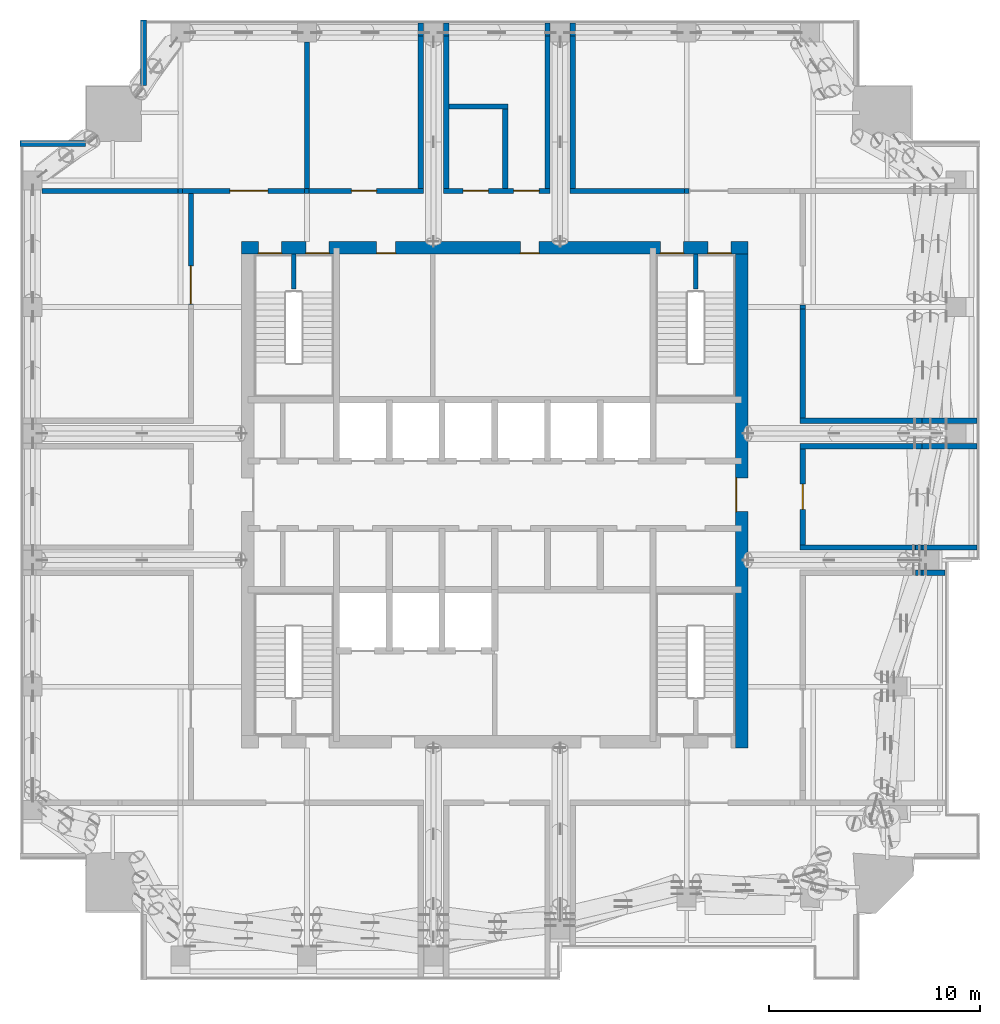
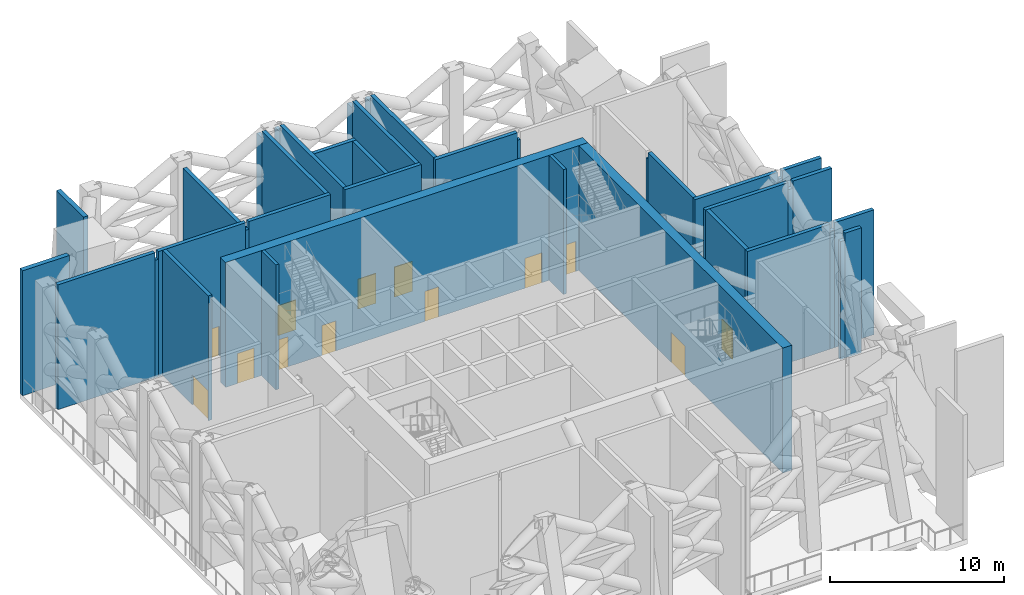
# One storey, part 9 of 18: 40 walls, 13 doors, 13 openings.
"""IFC4 building model written with IfcOpenShell, lengths in metres."""

import ifcopenshell
import ifcopenshell.guid

model = None  # the IFC model being written
_history = None  # IfcOwnerHistory: only IFC2X3 demands one
_inside = {}  # id of a spatial element -> (the spatial element, [elements in it])
_under = {}  # id of a project, library or spatial element -> (it, [spatial elements below it])
_declared = {}  # id of a project -> (the project, [libraries it declares])
_typed = {}  # id of a type object -> (the type object, [elements of that type])
_made_of = {}  # id of a material, layer set ... -> (it, [elements and type objects made of it])


def new_model(schema):
    """Start an empty IFC model of exactly this schema.

    Asked for "IFC4X3", IfcOpenShell would pick the latest addendum, in which some entities
    have other attributes; the version numbers below select the first issue.
    IFC2X3 requires an IfcOwnerHistory on every rooted entity: one is made here for all.
    """
    global model, _history
    if schema == "IFC4X3":
        model = ifcopenshell.file(schema_version=(4, 3, 0, 0))
    else:
        model = ifcopenshell.file(schema=schema)
    _inside.clear()
    _under.clear()
    _declared.clear()
    _typed.clear()
    _made_of.clear()
    _history = None
    if model.schema == "IFC2X3":
        org = make("IfcOrganization", Name="unknown")
        user = make(
            "IfcPersonAndOrganization",
            ThePerson=make("IfcPerson", FamilyName="unknown"),
            TheOrganization=org,
        )
        app = make(
            "IfcApplication",
            ApplicationDeveloper=org,
            Version="unknown",
            ApplicationFullName="unknown",
            ApplicationIdentifier="unknown",
        )
        _history = make(
            "IfcOwnerHistory",
            OwningUser=user,
            OwningApplication=app,
            ChangeAction="ADDED",
            CreationDate=0,
        )
    return model


def make(cls, **values):
    """One entity of the class cls with the attributes given. An attribute that is None is left unset."""
    return model.create_entity(
        cls, **{name: value for name, value in values.items() if value is not None}
    )


def rooted(cls, **values):
    """An entity with a GlobalId (a new one), such as an element, a storey or a relation."""
    return make(cls, GlobalId=ifcopenshell.guid.new(), OwnerHistory=_history, **values)


def si_unit(unit_type, name, prefix=None):
    """IfcSIUnit, for example si_unit("LENGTHUNIT", "METRE", prefix="MILLI")."""
    return make("IfcSIUnit", UnitType=unit_type, Prefix=prefix, Name=name)


def assignment(units):
    """IfcUnitAssignment: the units of a project."""
    return None if units is None else make("IfcUnitAssignment", Units=units)


def point(xyz):
    """IfcCartesianPoint."""
    return None if xyz is None else make("IfcCartesianPoint", Coordinates=xyz)


def direction(xyz):
    """IfcDirection."""
    return None if xyz is None else make("IfcDirection", DirectionRatios=xyz)


def frame(location, z_axis=None, x_axis=None):
    """IfcAxis2Placement3D, a coordinate frame: its origin and axes. An axis left out is left unset."""
    return make(
        "IfcAxis2Placement3D",
        Location=point(location),
        Axis=direction(z_axis),
        RefDirection=direction(x_axis),
    )


def frame_2d(location, x_axis=None):
    """IfcAxis2Placement2D, a coordinate frame in the plane: its origin and x axis."""
    return make(
        "IfcAxis2Placement2D", Location=point(location), RefDirection=direction(x_axis)
    )


def origin():
    """The frame at (0, 0, 0) with its axes left unset."""
    return frame((0.0, 0.0, 0.0))


def place(relative_to, where):
    """IfcLocalPlacement: puts the frame where relative to a parent placement (None: the world)."""
    return make(
        "IfcLocalPlacement", PlacementRelTo=relative_to, RelativePlacement=where
    )


def context(
    kind, dimensions, precision=None, world=None, true_north=None, identifier=None
):
    """IfcGeometricRepresentationContext, for example the 3D "Model" context."""
    return make(
        "IfcGeometricRepresentationContext",
        ContextIdentifier=identifier,
        ContextType=kind,
        CoordinateSpaceDimension=dimensions,
        Precision=precision,
        WorldCoordinateSystem=world,
        TrueNorth=true_north,
    )


def subcontext(parent, identifier, kind, view, scale=None):
    """IfcGeometricRepresentationSubContext, for example "Body" below "Model"."""
    return make(
        "IfcGeometricRepresentationSubContext",
        ContextIdentifier=identifier,
        ContextType=kind,
        ParentContext=parent,
        TargetScale=scale,
        TargetView=view,
    )


def project(units=None, contexts=None):
    """IfcProject with its units and contexts."""
    return rooted(
        "IfcProject",
        Name="project",
        RepresentationContexts=contexts,
        UnitsInContext=assignment(units),
    )


def spatial(cls, under=None, at=None, **own):
    """A site, building, storey or space (cls), placed at a placement, below another one or the project."""
    s = rooted(cls, ObjectPlacement=at, **own)
    if under is not None:
        _under.setdefault(under.id(), (under, []))[1].append(s)
    return s


def profile(cls, at=None, kind="AREA", **sizes):
    """A parametric profile (cls). Its sizes go by their IFC names, for example OverallWidth=200.0."""
    return make(cls, ProfileType=kind, Position=at, **sizes)


def rectangle(**sizes):
    """IfcRectangleProfileDef."""
    return profile("IfcRectangleProfileDef", **sizes)


def extrude(swept, where, along, depth):
    """IfcExtrudedAreaSolid: the profile swept, set in the frame where, extruded along a direction by depth."""
    return make(
        "IfcExtrudedAreaSolid",
        SweptArea=swept,
        Position=where,
        ExtrudedDirection=direction(along),
        Depth=depth,
    )


def shape(context_of_items, identifier, shape_type, items):
    """IfcShapeRepresentation: the items that make up one representation, for example the "Body"."""
    return make(
        "IfcShapeRepresentation",
        ContextOfItems=context_of_items,
        RepresentationIdentifier=identifier,
        RepresentationType=shape_type,
        Items=items,
    )


def material(Name=None, Category=None):
    """IfcMaterial."""
    return make("IfcMaterial", Name=Name, Category=Category)


def layer(
    of_material, thickness, ventilated=None, Name=None, Category=None, Priority=None
):
    """IfcMaterialLayer: one layer of a wall or slab, of a material (None: an air gap)."""
    return make(
        "IfcMaterialLayer",
        Material=of_material,
        LayerThickness=thickness,
        IsVentilated=ventilated,
        Name=Name,
        Category=Category,
        Priority=Priority,
    )


def layer_set(layers, Name=None):
    """IfcMaterialLayerSet."""
    return make("IfcMaterialLayerSet", MaterialLayers=layers, LayerSetName=Name)


def made_of(thing, what):
    """Note that an element or type object is made of a material, layer set ...; save() writes the relation."""
    if what is not None:
        _made_of.setdefault(what.id(), (what, []))[1].append(thing)
    return thing


def type_object(cls, material=None, **own):
    """A type object (cls), such as IfcWallType, which elements share."""
    return made_of(rooted(cls, **own), material)


def element(
    cls,
    number,
    at=None,
    inside=None,
    cuts=None,
    type_object=None,
    material=None,
    context=None,
    identifier="Body",
    shape_type=None,
    held_by="IfcProductDefinitionShape",
    body=None,
    shapes=None,
    **own,
):
    """One element of the class cls, such as IfcWall. Its Tag is "e" and its number.

    at: its placement. inside: the storey or other place that contains it. cuts: it is an
    opening in that element (IfcRelVoidsElement). A single representation is given by context,
    identifier, shape_type and body (its items); several are given by shapes. held_by: the class
    of the entity that holds the representations. save() writes the other relations.
    """
    e = rooted(cls, Tag="e%d" % number, ObjectPlacement=at, **own)
    if body is not None:
        shapes = [shape(context, identifier, shape_type, body)]
    if shapes is not None:
        e.Representation = make(held_by, Representations=shapes)
    if inside is not None:
        _inside.setdefault(inside.id(), (inside, []))[1].append(e)
    if cuts is not None:
        rooted(
            "IfcRelVoidsElement", RelatingBuildingElement=cuts, RelatedOpeningElement=e
        )
    if type_object is not None:
        _typed.setdefault(type_object.id(), (type_object, []))[1].append(e)
    return made_of(e, material)


def fill(opening, filler):
    """IfcRelFillsElement: the door or window that sits in an opening."""
    return rooted(
        "IfcRelFillsElement",
        RelatingOpeningElement=opening,
        RelatedBuildingElement=filler,
    )


def aggregate(whole, parts):
    """IfcRelAggregates: a whole, such as a stair, and the parts it consists of."""
    return rooted("IfcRelAggregates", RelatingObject=whole, RelatedObjects=parts)


def save(model, path):
    """Write the relations noted so far, then the file.

    IfcRelAggregates (storeys below a building ...), IfcRelContainedInSpatialStructure (elements
    in a storey), IfcRelDefinesByType, IfcRelAssociatesMaterial and IfcRelDeclares: one each for
    every whole, place, type object, material and project.
    """
    for whole, parts in _under.values():
        aggregate(whole, parts)
    for where, things in _inside.values():
        rooted(
            "IfcRelContainedInSpatialStructure",
            RelatedElements=things,
            RelatingStructure=where,
        )
    for kind, things in _typed.values():
        rooted("IfcRelDefinesByType", RelatedObjects=things, RelatingType=kind)
    for what, things in _made_of.values():
        rooted("IfcRelAssociatesMaterial", RelatedObjects=things, RelatingMaterial=what)
    for by, libraries in _declared.values():
        rooted("IfcRelDeclares", RelatingContext=by, RelatedDefinitions=libraries)
    model.write(path)


model = new_model("IFC4")

# Units and contexts
model_context = context("Model", 3, precision=1e-05, world=origin(), true_north=direction((0.0, 1.0)))
body_context = subcontext(model_context, "Body", "Model", "MODEL_VIEW")
ifc_project = project(units=[si_unit("LENGTHUNIT", "METRE"), si_unit("AREAUNIT", "SQUARE_METRE"), si_unit("VOLUMEUNIT", "CUBIC_METRE"), si_unit("PLANEANGLEUNIT", "RADIAN"), si_unit("MASSUNIT", "GRAM", prefix="KILO")], contexts=[model_context])

# Site, building, storey
site_placement = place(None, origin())
site = spatial("IfcSite", under=ifc_project, at=site_placement, CompositionType="ELEMENT")
building_placement = place(site_placement, origin())
building = spatial("IfcBuilding", under=site, at=building_placement, Name="Amberfall Residences", CompositionType="ELEMENT")
storey_placement = place(building_placement, frame((0.0, 0.0, 229.89990234375)))
storey = spatial("IfcBuildingStorey", under=building, at=storey_placement, Name="L62", CompositionType="ELEMENT", Elevation=229.89990234375)

# Walls
ifc_material_1 = material(Name="Reinforced concrete C40", Category="concrete")
ifc_layer_1 = layer(ifc_material_1, 0.25)
ifc_layer_set_1 = layer_set([ifc_layer_1], Name="Compartment wall 250")
wall_type_1 = type_object("IfcWallType", Name="Compartment wall 250", PredefinedType="SOLIDWALL", material=ifc_layer_set_1)
wall_1_placement = place(storey_placement, frame((94.449951171875, 41.800048828125, 0.0), z_axis=(0.0, 0.0, 1.0), x_axis=(1.0, 0.0, 0.0)))
element("IfcWall", 1, at=wall_1_placement, inside=storey, type_object=wall_type_1, Name="Compartment wall 250 L62 020", PredefinedType="SOLIDWALL", context=body_context, shape_type="SweptSolid", body=[
    extrude(rectangle(XDim=0.300048828125, YDim=0.25, at=frame_2d((0.14990234375, 0.0))), origin(), (0.0, 0.0, 1.0), 8.25),
])
wall_2_placement = place(storey_placement, frame((94.75, 41.800048828125, 0.0), z_axis=(0.0, 0.0, 1.0), x_axis=(1.0, 0.0, 0.0)))
element("IfcWall", 2, at=wall_2_placement, inside=storey, type_object=wall_type_1, Name="Compartment wall 250 L62 021", PredefinedType="SOLIDWALL", context=body_context, shape_type="SweptSolid", body=[
    extrude(rectangle(XDim=1.10009765625, YDim=0.25, at=frame_2d((0.550048828125, 0.0))), origin(), (0.0, 0.0, 1.0), 8.75),
])
wall_3_placement = place(storey_placement, frame((88.97509765625, 43.0, 0.0), z_axis=(0.0, 0.0, 1.0), x_axis=(1.0, 0.0, 0.0)))
element("IfcWall", 3, at=wall_3_placement, inside=storey, type_object=wall_type_1, Name="Compartment wall 250 L62 024", PredefinedType="SOLIDWALL", context=body_context, shape_type="SweptSolid", body=[
    extrude(rectangle(XDim=5.474853515625, YDim=0.25, at=frame_2d((2.7373046875, 0.0))), origin(), (0.0, 0.0, 1.0), 8.75),
])
wall_4_placement = place(storey_placement, frame((94.449951171875, 43.0, 0.0), z_axis=(0.0, 0.0, 1.0), x_axis=(1.0, 0.0, 0.0)))
element("IfcWall", 4, at=wall_4_placement, inside=storey, type_object=wall_type_1, Name="Compartment wall 250 L62 025", PredefinedType="SOLIDWALL", context=body_context, shape_type="SweptSolid", body=[
    extrude(rectangle(XDim=0.300048828125, YDim=0.25, at=frame_2d((0.14990234375, 0.0))), origin(), (0.0, 0.0, 1.0), 8.25),
])
wall_5_placement = place(storey_placement, frame((94.75, 43.0, 0.0), z_axis=(0.0, 0.0, 1.0), x_axis=(1.0, 0.0, 0.0)))
element("IfcWall", 5, at=wall_5_placement, inside=storey, type_object=wall_type_1, Name="Compartment wall 250 L62 026", PredefinedType="SOLIDWALL", context=body_context, shape_type="SweptSolid", body=[
    extrude(rectangle(XDim=2.60009765625, YDim=0.25, at=frame_2d((1.300048828125, 0.0))), origin(), (0.0, 0.0, 1.0), 8.75),
])
wall_6_placement = place(storey_placement, frame((88.97509765625, 47.800048828125, 0.0), z_axis=(0.0, 0.0, 1.0), x_axis=(1.0, 0.0, 0.0)))
element("IfcWall", 6, at=wall_6_placement, inside=storey, type_object=wall_type_1, Name="Compartment wall 250 L62 029", PredefinedType="SOLIDWALL", context=body_context, shape_type="SweptSolid", body=[
    extrude(rectangle(XDim=5.474853515625, YDim=0.25, at=frame_2d((2.7373046875, 0.0))), origin(), (0.0, 0.0, 1.0), 8.75),
])
wall_7_placement = place(storey_placement, frame((94.449951171875, 47.800048828125, 0.0), z_axis=(0.0, 0.0, 1.0), x_axis=(1.0, 0.0, 0.0)))
element("IfcWall", 7, at=wall_7_placement, inside=storey, type_object=wall_type_1, Name="Compartment wall 250 L62 030", PredefinedType="SOLIDWALL", context=body_context, shape_type="SweptSolid", body=[
    extrude(rectangle(XDim=0.300048828125, YDim=0.25, at=frame_2d((0.14990234375, 0.0))), origin(), (0.0, 0.0, 1.0), 8.25),
])
wall_8_placement = place(storey_placement, frame((94.75, 47.800048828125, 0.0), z_axis=(0.0, 0.0, 1.0), x_axis=(1.0, 0.0, 0.0)))
element("IfcWall", 8, at=wall_8_placement, inside=storey, type_object=wall_type_1, Name="Compartment wall 250 L62 031", PredefinedType="SOLIDWALL", context=body_context, shape_type="SweptSolid", body=[
    extrude(rectangle(XDim=2.60009765625, YDim=0.25, at=frame_2d((1.300048828125, 0.0))), origin(), (0.0, 0.0, 1.0), 8.75),
])
wall_9_placement = place(storey_placement, frame((88.97509765625, 49.0, 0.0), z_axis=(0.0, 0.0, 1.0), x_axis=(1.0, 0.0, 0.0)))
element("IfcWall", 9, at=wall_9_placement, inside=storey, type_object=wall_type_1, Name="Compartment wall 250 L62 034", PredefinedType="SOLIDWALL", context=body_context, shape_type="SweptSolid", body=[
    extrude(rectangle(XDim=5.474853515625, YDim=0.25, at=frame_2d((2.7373046875, 0.0))), origin(), (0.0, 0.0, 1.0), 8.75),
])
wall_10_placement = place(storey_placement, frame((94.449951171875, 49.0, 0.0), z_axis=(0.0, 0.0, 1.0), x_axis=(1.0, 0.0, 0.0)))
element("IfcWall", 10, at=wall_10_placement, inside=storey, type_object=wall_type_1, Name="Compartment wall 250 L62 035", PredefinedType="SOLIDWALL", context=body_context, shape_type="SweptSolid", body=[
    extrude(rectangle(XDim=0.300048828125, YDim=0.25, at=frame_2d((0.14990234375, 0.0))), origin(), (0.0, 0.0, 1.0), 8.25),
])
wall_11_placement = place(storey_placement, frame((94.75, 49.0, 0.0), z_axis=(0.0, 0.0, 1.0), x_axis=(1.0, 0.0, 0.0)))
element("IfcWall", 11, at=wall_11_placement, inside=storey, type_object=wall_type_1, Name="Compartment wall 250 L62 036", PredefinedType="SOLIDWALL", context=body_context, shape_type="SweptSolid", body=[
    extrude(rectangle(XDim=2.60009765625, YDim=0.25, at=frame_2d((1.300048828125, 0.0))), origin(), (0.0, 0.0, 1.0), 8.75),
])
wall_12_placement = place(storey_placement, frame((53.050048828125, 59.89990234375, 0.0), z_axis=(0.0, 0.0, 1.0), x_axis=(1.0, 0.0, 0.0)))
element("IfcWall", 12, at=wall_12_placement, inside=storey, type_object=wall_type_1, Name="Compartment wall 250 L62 037", PredefinedType="SOLIDWALL", context=body_context, shape_type="SweptSolid", body=[
    extrude(rectangle(XDim=6.444580078125, YDim=0.25, at=frame_2d((3.22216796875, 0.0))), origin(), (0.0, 0.0, 1.0), 8.75),
])
wall_13_placement = place(storey_placement, frame((59.49462890625, 59.89990234375, 0.0), z_axis=(0.0, 0.0, 1.0), x_axis=(1.0, 0.0, 0.0)))
element("IfcWall", 13, at=wall_13_placement, inside=storey, type_object=wall_type_1, Name="Compartment wall 250 L62 038", PredefinedType="SOLIDWALL", context=body_context, shape_type="SweptSolid", body=[
    extrude(rectangle(XDim=0.210693359375, YDim=0.25, at=frame_2d((0.10546875, 0.0))), origin(), (0.0, 0.0, 1.0), 8.211181640625),
])

# Wall, opening, door
wall_14_placement = place(storey_placement, frame((59.705322265625, 59.89990234375, 0.0), z_axis=(0.0, 0.0, 1.0), x_axis=(1.0, 0.0, 0.0)))
wall_14 = element("IfcWall", 14, at=wall_14_placement, inside=storey, type_object=wall_type_1, Name="Compartment wall 250 L62 039", PredefinedType="SOLIDWALL", context=body_context, shape_type="SweptSolid", body=[
    extrude(rectangle(XDim=5.7900390625, YDim=0.25, at=frame_2d((2.89501953125, 0.0))), origin(), (0.0, 0.0, 1.0), 8.75),
])
opening_1_placement = place(wall_14_placement, frame((2.24462890625, 0.0, 0.0)))
opening_1 = element("IfcOpeningElement", 15, at=opening_1_placement, cuts=wall_14, Name="Opening D13", PredefinedType="OPENING", context=body_context, shape_type="SweptSolid", body=[
    extrude(rectangle(XDim=1.800048828125, YDim=2.10009765625, at=frame_2d((0.89990234375, 1.050048828125))), frame((0.0, 0.135009765625, 0.0), z_axis=(0.0, -1.0, 0.0), x_axis=(1.0, 0.0, 0.0)), (0.0, 0.0, 1.0), 0.27001953125),
])
ifc_material_2 = material(Name="Steel fire door leaf", Category="steel")
door_type_1 = type_object("IfcDoorType", Name="Double fire door 1800x2100 FD60", OperationType="DOUBLE_DOOR_SINGLE_SWING", PredefinedType="DOOR", material=ifc_material_2)
door_1_placement = place(opening_1_placement, origin())
door_1 = element("IfcDoor", 16, at=door_1_placement, inside=storey, type_object=door_type_1, Name="Door Refuge area 4", OperationType="DOUBLE_DOOR_SINGLE_SWING", OverallHeight=2.10009765625, OverallWidth=1.800048828125, PredefinedType="DOOR", context=body_context, shape_type="SweptSolid", body=[
    extrude(rectangle(XDim=1.800048828125, YDim=2.10009765625, at=frame_2d((0.89990234375, 1.050048828125))), frame((0.0, 0.02490234375, 0.0), z_axis=(0.0, -1.0, 0.0), x_axis=(1.0, 0.0, 0.0)), (0.0, 0.0, 1.0), 0.050048828125),
])
fill(opening_1, door_1)

# Wall
wall_15_placement = place(storey_placement, frame((65.495361328125, 59.89990234375, 0.0), z_axis=(0.0, 0.0, 1.0), x_axis=(1.0, 0.0, 0.0)))
element("IfcWall", 17, at=wall_15_placement, inside=storey, type_object=wall_type_1, Name="Compartment wall 250 L62 040", PredefinedType="SOLIDWALL", context=body_context, shape_type="SweptSolid", body=[
    extrude(rectangle(XDim=0.209228515625, YDim=0.25, at=frame_2d((0.1044921875, 0.0))), origin(), (0.0, 0.0, 1.0), 8.217041015625),
])

# Wall, opening, door
wall_16_placement = place(storey_placement, frame((65.70458984375, 59.89990234375, 0.0), z_axis=(0.0, 0.0, 1.0), x_axis=(1.0, 0.0, 0.0)))
wall_16 = element("IfcWall", 18, at=wall_16_placement, inside=storey, type_object=wall_type_1, Name="Compartment wall 250 L62 041", PredefinedType="SOLIDWALL", context=body_context, shape_type="SweptSolid", body=[
    extrude(rectangle(XDim=5.42041015625, YDim=0.25, at=frame_2d((2.710205078125, 0.0))), origin(), (0.0, 0.0, 1.0), 8.75),
])
opening_2_placement = place(wall_16_placement, frame((1.995361328125, 0.0, 0.0)))
opening_2 = element("IfcOpeningElement", 19, at=opening_2_placement, cuts=wall_16, Name="Opening D6", PredefinedType="OPENING", context=body_context, shape_type="SweptSolid", body=[
    extrude(rectangle(XDim=1.199951171875, YDim=2.10009765625, at=frame_2d((0.60009765625, 1.050048828125))), frame((0.0, 0.135009765625, 0.0), z_axis=(0.0, -1.0, 0.0), x_axis=(1.0, 0.0, 0.0)), (0.0, 0.0, 1.0), 0.27001953125),
])
door_type_2 = type_object("IfcDoorType", Name="Exit door 1200x2100", OperationType="SINGLE_SWING_LEFT", PredefinedType="DOOR", material=ifc_material_2)
door_2_placement = place(opening_2_placement, origin())
door_2 = element("IfcDoor", 20, at=door_2_placement, inside=storey, type_object=door_type_2, Name="Door Refuge area 5", OperationType="SINGLE_SWING_LEFT", OverallHeight=2.10009765625, OverallWidth=1.199951171875, PredefinedType="DOOR", context=body_context, shape_type="SweptSolid", body=[
    extrude(rectangle(XDim=1.199951171875, YDim=2.10009765625, at=frame_2d((0.60009765625, 1.050048828125))), frame((0.0, 0.02490234375, 0.0), z_axis=(0.0, -1.0, 0.0), x_axis=(1.0, 0.0, 0.0)), (0.0, 0.0, 1.0), 0.050048828125),
])
fill(opening_2, door_2)

# Wall, openings, doors
wall_17_placement = place(storey_placement, frame((72.074951171875, 59.89990234375, 0.0), z_axis=(0.0, 0.0, 1.0), x_axis=(1.0, 0.0, 0.0)))
wall_17 = element("IfcWall", 21, at=wall_17_placement, inside=storey, type_object=wall_type_1, Name="Compartment wall 250 L62 042", PredefinedType="SOLIDWALL", context=body_context, shape_type="SweptSolid", body=[
    extrude(rectangle(XDim=5.050048828125, YDim=0.25, at=frame_2d((2.52490234375, 0.0))), origin(), (0.0, 0.0, 1.0), 8.75),
])
opening_3_placement = place(wall_17_placement, frame((0.925048828125, 0.0, 0.0)))
opening_3 = element("IfcOpeningElement", 22, at=opening_3_placement, cuts=wall_17, Name="Opening D7", PredefinedType="OPENING", context=body_context, shape_type="SweptSolid", body=[
    extrude(rectangle(XDim=1.199951171875, YDim=2.10009765625, at=frame_2d((0.60009765625, 1.050048828125))), frame((0.0, 0.135009765625, 0.0), z_axis=(0.0, -1.0, 0.0), x_axis=(1.0, 0.0, 0.0)), (0.0, 0.0, 1.0), 0.27001953125),
])
opening_4_placement = place(wall_17_placement, frame((3.324951171875, 0.0, 0.0)))
opening_4 = element("IfcOpeningElement", 23, at=opening_4_placement, cuts=wall_17, Name="Opening D6", PredefinedType="OPENING", context=body_context, shape_type="SweptSolid", body=[
    extrude(rectangle(XDim=1.199951171875, YDim=2.10009765625, at=frame_2d((0.60009765625, 1.050048828125))), frame((0.0, 0.135009765625, 0.0), z_axis=(0.0, -1.0, 0.0), x_axis=(1.0, 0.0, 0.0)), (0.0, 0.0, 1.0), 0.27001953125),
])
door_3_placement = place(opening_4_placement, origin())
door_3 = element("IfcDoor", 24, at=door_3_placement, inside=storey, type_object=door_type_2, Name="Door Refuge area 6", OperationType="SINGLE_SWING_LEFT", OverallHeight=2.10009765625, OverallWidth=1.199951171875, PredefinedType="DOOR", context=body_context, shape_type="SweptSolid", body=[
    extrude(rectangle(XDim=1.199951171875, YDim=2.10009765625, at=frame_2d((0.60009765625, 1.050048828125))), frame((0.0, 0.02490234375, 0.0), z_axis=(0.0, -1.0, 0.0), x_axis=(1.0, 0.0, 0.0)), (0.0, 0.0, 1.0), 0.050048828125),
])
fill(opening_4, door_3)
door_type_3 = type_object("IfcDoorType", Name="Plant room door 1200x2100", OperationType="SINGLE_SWING_LEFT", PredefinedType="DOOR", material=ifc_material_2)
door_4_placement = place(opening_3_placement, origin())
door_4 = element("IfcDoor", 25, at=door_4_placement, inside=storey, type_object=door_type_3, Name="Door Fire pump room N", OperationType="SINGLE_SWING_LEFT", OverallHeight=2.10009765625, OverallWidth=1.199951171875, PredefinedType="DOOR", context=body_context, shape_type="SweptSolid", body=[
    extrude(rectangle(XDim=1.199951171875, YDim=2.10009765625, at=frame_2d((0.60009765625, 1.050048828125))), frame((0.0, 0.02490234375, 0.0), z_axis=(0.0, -1.0, 0.0), x_axis=(1.0, 0.0, 0.0)), (0.0, 0.0, 1.0), 0.050048828125),
])
fill(opening_3, door_4)

# Walls
wall_18_placement = place(storey_placement, frame((78.074951171875, 59.89990234375, 0.0), z_axis=(0.0, 0.0, 1.0), x_axis=(1.0, 0.0, 0.0)))
element("IfcWall", 26, at=wall_18_placement, inside=storey, type_object=wall_type_1, Name="Compartment wall 250 L62 043", PredefinedType="SOLIDWALL", context=body_context, shape_type="SweptSolid", body=[
    extrude(rectangle(XDim=5.42041015625, YDim=0.25, at=frame_2d((2.710205078125, 0.0))), origin(), (0.0, 0.0, 1.0), 8.75),
])
wall_19_placement = place(storey_placement, frame((83.495361328125, 59.89990234375, 0.0), z_axis=(0.0, 0.0, 1.0), x_axis=(1.0, 0.0, 0.0)))
element("IfcWall", 27, at=wall_19_placement, inside=storey, type_object=wall_type_1, Name="Compartment wall 250 L62 044", PredefinedType="SOLIDWALL", context=body_context, shape_type="SweptSolid", body=[
    extrude(rectangle(XDim=0.209228515625, YDim=0.25, at=frame_2d((0.1044921875, 0.0))), origin(), (0.0, 0.0, 1.0), 8.217041015625),
])
wall_20_placement = place(storey_placement, frame((72.324951171875, 63.89990234375, 0.0), z_axis=(0.0, 0.0, 1.0), x_axis=(1.0, 0.0, 0.0)))
element("IfcWall", 28, at=wall_20_placement, inside=storey, type_object=wall_type_1, Name="Compartment wall 250 L62 050", PredefinedType="SOLIDWALL", context=body_context, shape_type="SweptSolid", body=[
    extrude(rectangle(XDim=2.800048828125, YDim=0.25, at=frame_2d((1.39990234375, 0.0))), origin(), (0.0, 0.0, 1.0), 8.75),
])

# Wall, opening, door
wall_21_placement = place(storey_placement, frame((60.10009765625, 54.504638671875, 0.0), z_axis=(0.0, 0.0, 1.0), x_axis=(0.0, 1.0, 0.0)))
wall_21 = element("IfcWall", 29, at=wall_21_placement, inside=storey, type_object=wall_type_1, Name="Compartment wall 250 L62 057", PredefinedType="SOLIDWALL", context=body_context, shape_type="SweptSolid", body=[
    extrude(rectangle(XDim=5.270263671875, YDim=0.25, at=frame_2d((2.63525390625, 0.0))), origin(), (0.0, 0.0, 1.0), 8.75),
])
opening_5_placement = place(wall_21_placement, frame((0.04541015625, 0.0, 0.0)))
opening_5 = element("IfcOpeningElement", 30, at=opening_5_placement, cuts=wall_21, Name="Opening D13", PredefinedType="OPENING", context=body_context, shape_type="SweptSolid", body=[
    extrude(rectangle(XDim=1.800048828125, YDim=2.10009765625, at=frame_2d((0.89990234375, 1.050048828125))), frame((0.0, 0.135009765625, 0.0), z_axis=(0.0, -1.0, 0.0), x_axis=(1.0, 0.0, 0.0)), (0.0, 0.0, 1.0), 0.27001953125),
])
door_5_placement = place(opening_5_placement, origin())
door_5 = element("IfcDoor", 31, at=door_5_placement, inside=storey, type_object=door_type_1, Name="Door Refuge area 10", OperationType="DOUBLE_DOOR_SINGLE_SWING", OverallHeight=2.10009765625, OverallWidth=1.800048828125, PredefinedType="DOOR", context=body_context, shape_type="SweptSolid", body=[
    extrude(rectangle(XDim=1.800048828125, YDim=2.10009765625, at=frame_2d((0.89990234375, 1.050048828125))), frame((0.0, 0.02490234375, 0.0), z_axis=(0.0, -1.0, 0.0), x_axis=(1.0, 0.0, 0.0)), (0.0, 0.0, 1.0), 0.050048828125),
])
fill(opening_5, door_5)

# Walls
wall_22_placement = place(storey_placement, frame((65.60009765625, 60.02490234375, 0.0), z_axis=(0.0, 0.0, 1.0), x_axis=(0.0, 1.0, 0.0)))
element("IfcWall", 32, at=wall_22_placement, inside=storey, type_object=wall_type_1, Name="Compartment wall 250 L62 058", PredefinedType="SOLIDWALL", context=body_context, shape_type="SweptSolid", body=[
    extrude(rectangle(XDim=6.925048828125, YDim=0.25, at=frame_2d((3.46240234375, 0.0))), origin(), (0.0, 0.0, 1.0), 8.217041015625),
])
wall_23_placement = place(storey_placement, frame((71.0, 60.02490234375, 0.0), z_axis=(0.0, 0.0, 1.0), x_axis=(0.0, 1.0, 0.0)))
element("IfcWall", 33, at=wall_23_placement, inside=storey, type_object=wall_type_1, Name="Compartment wall 250 L62 062", PredefinedType="SOLIDWALL", context=body_context, shape_type="SweptSolid", body=[
    extrude(rectangle(XDim=7.22509765625, YDim=0.25, at=frame_2d((3.612548828125, 0.0))), origin(), (0.0, 0.0, 1.0), 8.75),
])
wall_24_placement = place(storey_placement, frame((71.0, 67.25, 0.0), z_axis=(0.0, 0.0, 1.0), x_axis=(0.0, 1.0, 0.0)))
element("IfcWall", 34, at=wall_24_placement, inside=storey, type_object=wall_type_1, Name="Compartment wall 250 L62 063", PredefinedType="SOLIDWALL", context=body_context, shape_type="SweptSolid", body=[
    extrude(rectangle(XDim=0.60009765625, YDim=0.25, at=frame_2d((0.300048828125, 0.0))), origin(), (0.0, 0.0, 1.0), 8.25),
])
wall_25_placement = place(storey_placement, frame((72.199951171875, 60.02490234375, 0.0), z_axis=(0.0, 0.0, 1.0), x_axis=(0.0, 1.0, 0.0)))
element("IfcWall", 35, at=wall_25_placement, inside=storey, type_object=wall_type_1, Name="Compartment wall 250 L62 067", PredefinedType="SOLIDWALL", context=body_context, shape_type="SweptSolid", body=[
    extrude(rectangle(XDim=7.22509765625, YDim=0.25, at=frame_2d((3.612548828125, 0.0))), origin(), (0.0, 0.0, 1.0), 8.75),
])
wall_26_placement = place(storey_placement, frame((72.199951171875, 67.25, 0.0), z_axis=(0.0, 0.0, 1.0), x_axis=(0.0, 1.0, 0.0)))
element("IfcWall", 36, at=wall_26_placement, inside=storey, type_object=wall_type_1, Name="Compartment wall 250 L62 068", PredefinedType="SOLIDWALL", context=body_context, shape_type="SweptSolid", body=[
    extrude(rectangle(XDim=0.60009765625, YDim=0.25, at=frame_2d((0.300048828125, 0.0))), origin(), (0.0, 0.0, 1.0), 8.25),
])
wall_27_placement = place(storey_placement, frame((75.0, 60.02490234375, 0.0), z_axis=(0.0, 0.0, 1.0), x_axis=(0.0, 1.0, 0.0)))
element("IfcWall", 37, at=wall_27_placement, inside=storey, type_object=wall_type_1, Name="Compartment wall 250 L62 069", PredefinedType="SOLIDWALL", context=body_context, shape_type="SweptSolid", body=[
    extrude(rectangle(XDim=3.75, YDim=0.25, at=frame_2d((1.875, 0.0))), origin(), (0.0, 0.0, 1.0), 8.75),
])
wall_28_placement = place(storey_placement, frame((77.0, 60.02490234375, 0.0), z_axis=(0.0, 0.0, 1.0), x_axis=(0.0, 1.0, 0.0)))
element("IfcWall", 38, at=wall_28_placement, inside=storey, type_object=wall_type_1, Name="Compartment wall 250 L62 073", PredefinedType="SOLIDWALL", context=body_context, shape_type="SweptSolid", body=[
    extrude(rectangle(XDim=7.22509765625, YDim=0.25, at=frame_2d((3.612548828125, 0.0))), origin(), (0.0, 0.0, 1.0), 8.75),
])
wall_29_placement = place(storey_placement, frame((77.0, 67.25, 0.0), z_axis=(0.0, 0.0, 1.0), x_axis=(0.0, 1.0, 0.0)))
element("IfcWall", 39, at=wall_29_placement, inside=storey, type_object=wall_type_1, Name="Compartment wall 250 L62 074", PredefinedType="SOLIDWALL", context=body_context, shape_type="SweptSolid", body=[
    extrude(rectangle(XDim=0.60009765625, YDim=0.25, at=frame_2d((0.300048828125, 0.0))), origin(), (0.0, 0.0, 1.0), 8.25),
])
wall_30_placement = place(storey_placement, frame((78.199951171875, 60.02490234375, 0.0), z_axis=(0.0, 0.0, 1.0), x_axis=(0.0, 1.0, 0.0)))
element("IfcWall", 40, at=wall_30_placement, inside=storey, type_object=wall_type_1, Name="Compartment wall 250 L62 078", PredefinedType="SOLIDWALL", context=body_context, shape_type="SweptSolid", body=[
    extrude(rectangle(XDim=7.22509765625, YDim=0.25, at=frame_2d((3.612548828125, 0.0))), origin(), (0.0, 0.0, 1.0), 8.75),
])
wall_31_placement = place(storey_placement, frame((78.199951171875, 67.25, 0.0), z_axis=(0.0, 0.0, 1.0), x_axis=(0.0, 1.0, 0.0)))
element("IfcWall", 41, at=wall_31_placement, inside=storey, type_object=wall_type_1, Name="Compartment wall 250 L62 079", PredefinedType="SOLIDWALL", context=body_context, shape_type="SweptSolid", body=[
    extrude(rectangle(XDim=0.60009765625, YDim=0.25, at=frame_2d((0.300048828125, 0.0))), origin(), (0.0, 0.0, 1.0), 8.25),
])

# Wall, opening, door
wall_32_placement = place(storey_placement, frame((89.10009765625, 43.125, 0.0), z_axis=(0.0, 0.0, 1.0), x_axis=(0.0, 1.0, 0.0)))
wall_32 = element("IfcWall", 42, at=wall_32_placement, inside=storey, type_object=wall_type_1, Name="Compartment wall 250 L62 084", PredefinedType="SOLIDWALL", context=body_context, shape_type="SweptSolid", body=[
    extrude(rectangle(XDim=4.550048828125, YDim=0.25, at=frame_2d((2.27490234375, 0.0))), origin(), (0.0, 0.0, 1.0), 8.75),
])
opening_6_placement = place(wall_32_placement, frame((1.675048828125, 0.0, 0.0)))
opening_6 = element("IfcOpeningElement", 43, at=opening_6_placement, cuts=wall_32, Name="Opening D6", PredefinedType="OPENING", context=body_context, shape_type="SweptSolid", body=[
    extrude(rectangle(XDim=1.199951171875, YDim=2.10009765625, at=frame_2d((0.60009765625, 1.050048828125))), frame((0.0, 0.135009765625, 0.0), z_axis=(0.0, -1.0, 0.0), x_axis=(1.0, 0.0, 0.0)), (0.0, 0.0, 1.0), 0.27001953125),
])
door_6_placement = place(opening_6_placement, origin())
door_6 = element("IfcDoor", 44, at=door_6_placement, inside=storey, type_object=door_type_2, Name="Door Refuge area 12", OperationType="SINGLE_SWING_LEFT", OverallHeight=2.10009765625, OverallWidth=1.199951171875, PredefinedType="DOOR", context=body_context, shape_type="SweptSolid", body=[
    extrude(rectangle(XDim=1.199951171875, YDim=2.10009765625, at=frame_2d((0.60009765625, 1.050048828125))), frame((0.0, 0.02490234375, 0.0), z_axis=(0.0, -1.0, 0.0), x_axis=(1.0, 0.0, 0.0)), (0.0, 0.0, 1.0), 0.050048828125),
])
fill(opening_6, door_6)

# Walls
wall_33_placement = place(storey_placement, frame((89.10009765625, 49.125, 0.0), z_axis=(0.0, 0.0, 1.0), x_axis=(0.0, 1.0, 0.0)))
element("IfcWall", 45, at=wall_33_placement, inside=storey, type_object=wall_type_1, Name="Compartment wall 250 L62 085", PredefinedType="SOLIDWALL", context=body_context, shape_type="SweptSolid", body=[
    extrude(rectangle(XDim=5.17919921875, YDim=0.25, at=frame_2d((2.589599609375, 0.0))), origin(), (0.0, 0.0, 1.0), 8.75),
])
wall_34_placement = place(storey_placement, frame((89.10009765625, 54.30419921875, 0.0), z_axis=(0.0, 0.0, 1.0), x_axis=(0.0, 1.0, 0.0)))
element("IfcWall", 46, at=wall_34_placement, inside=storey, type_object=wall_type_1, Name="Compartment wall 250 L62 086", PredefinedType="SOLIDWALL", context=body_context, shape_type="SweptSolid", body=[
    extrude(rectangle(XDim=0.19140625, YDim=0.25, at=frame_2d((0.095703125, 0.0))), origin(), (0.0, 0.0, 1.0), 8.2900390625),
])

# Wall, openings, doors
ifc_material_3 = material(Name="Concrete C55", Category="concrete")
ifc_layer_2 = layer(ifc_material_3, 0.60009765625)
ifc_layer_set_2 = layer_set([ifc_layer_2], Name="Core wall 600 C55")
wall_type_2 = type_object("IfcWallType", Name="Core wall 600 C55", PredefinedType="SHEAR", material=ifc_layer_set_2)
wall_35_placement = place(storey_placement, frame((62.5, 57.199951171875, 0.0), z_axis=(0.0, 0.0, 1.0), x_axis=(1.0, 0.0, 0.0)))
wall_35 = element("IfcWall", 47, at=wall_35_placement, inside=storey, type_object=wall_type_2, Name="Core wall RW7 L62 ON", PredefinedType="SHEAR", context=body_context, shape_type="SweptSolid", body=[
    extrude(rectangle(XDim=24.0, YDim=0.60009765625, at=frame_2d((12.0, 0.0))), origin(), (0.0, 0.0, 1.0), 8.75),
])
opening_7_placement = place(wall_35_placement, frame((19.85009765625, 0.0, 0.0)))
opening_7 = element("IfcOpeningElement", 48, at=opening_7_placement, cuts=wall_35, Name="Opening SD1", PredefinedType="OPENING", context=body_context, shape_type="SweptSolid", body=[
    extrude(rectangle(XDim=1.10009765625, YDim=2.10009765625, at=frame_2d((0.550048828125, 1.050048828125))), frame((0.0, 0.31005859375, 0.0), z_axis=(0.0, -1.0, 0.0), x_axis=(1.0, 0.0, 0.0)), (0.0, 0.0, 1.0), 0.6201171875),
])
opening_8_placement = place(wall_35_placement, frame((22.10009765625, 0.0, 0.0)))
opening_8 = element("IfcOpeningElement", 49, at=opening_8_placement, cuts=wall_35, Name="Opening SD1", PredefinedType="OPENING", context=body_context, shape_type="SweptSolid", body=[
    extrude(rectangle(XDim=1.10009765625, YDim=2.10009765625, at=frame_2d((0.550048828125, 1.050048828125))), frame((0.0, 0.31005859375, 0.0), z_axis=(0.0, -1.0, 0.0), x_axis=(1.0, 0.0, 0.0)), (0.0, 0.0, 1.0), 0.6201171875),
])
opening_9_placement = place(wall_35_placement, frame((0.800048828125, 0.0, 0.0)))
opening_9 = element("IfcOpeningElement", 50, at=opening_9_placement, cuts=wall_35, Name="Opening SD1", PredefinedType="OPENING", context=body_context, shape_type="SweptSolid", body=[
    extrude(rectangle(XDim=1.10009765625, YDim=2.10009765625, at=frame_2d((0.550048828125, 1.050048828125))), frame((0.0, 0.31005859375, 0.0), z_axis=(0.0, -1.0, 0.0), x_axis=(1.0, 0.0, 0.0)), (0.0, 0.0, 1.0), 0.6201171875),
])
opening_10_placement = place(wall_35_placement, frame((3.050048828125, 0.0, 0.0)))
opening_10 = element("IfcOpeningElement", 51, at=opening_10_placement, cuts=wall_35, Name="Opening SD1", PredefinedType="OPENING", context=body_context, shape_type="SweptSolid", body=[
    extrude(rectangle(XDim=1.10009765625, YDim=2.10009765625, at=frame_2d((0.550048828125, 1.050048828125))), frame((0.0, 0.31005859375, 0.0), z_axis=(0.0, -1.0, 0.0), x_axis=(1.0, 0.0, 0.0)), (0.0, 0.0, 1.0), 0.6201171875),
])
opening_11_placement = place(wall_35_placement, frame((6.405029296875, 0.0, 0.0)))
opening_11 = element("IfcOpeningElement", 52, at=opening_11_placement, cuts=wall_35, Name="Opening RD1", PredefinedType="OPENING", context=body_context, shape_type="SweptSolid", body=[
    extrude(rectangle(XDim=0.89990234375, YDim=2.10009765625, at=frame_2d((0.449951171875, 1.050048828125))), frame((0.0, 0.31005859375, 0.0), z_axis=(0.0, -1.0, 0.0), x_axis=(1.0, 0.0, 0.0)), (0.0, 0.0, 1.0), 0.6201171875),
])
opening_12_placement = place(wall_35_placement, frame((13.2099609375, 0.0, 0.0)))
opening_12 = element("IfcOpeningElement", 53, at=opening_12_placement, cuts=wall_35, Name="Opening RD1", PredefinedType="OPENING", context=body_context, shape_type="SweptSolid", body=[
    extrude(rectangle(XDim=0.89990234375, YDim=2.10009765625, at=frame_2d((0.449951171875, 1.050048828125))), frame((0.0, 0.31005859375, 0.0), z_axis=(0.0, -1.0, 0.0), x_axis=(1.0, 0.0, 0.0)), (0.0, 0.0, 1.0), 0.6201171875),
])
ifc_material_4 = material(Name="Steel fire door set", Category="steel")
door_type_4 = type_object("IfcDoorType", Name="Service room door 900 x 2100", OperationType="SINGLE_SWING_LEFT", PredefinedType="DOOR", material=ifc_material_4)
door_7_placement = place(opening_11_placement, origin())
door_7 = element("IfcDoor", 54, at=door_7_placement, inside=storey, type_object=door_type_4, Name="RD1 L62", OperationType="SINGLE_SWING_RIGHT", OverallHeight=2.10009765625, OverallWidth=0.89990234375, PredefinedType="DOOR", context=body_context, shape_type="SweptSolid", body=[
    extrude(rectangle(XDim=0.89990234375, YDim=2.10009765625, at=frame_2d((0.449951171875, 1.050048828125))), frame((0.0, -0.2373046875, 0.0), z_axis=(0.0, -1.0, 0.0), x_axis=(1.0, 0.0, 0.0)), (0.0, 0.0, 1.0), 0.050048828125),
])
fill(opening_11, door_7)
door_8_placement = place(opening_12_placement, origin())
door_8 = element("IfcDoor", 55, at=door_8_placement, inside=storey, type_object=door_type_4, Name="RD1 L62", OperationType="SINGLE_SWING_RIGHT", OverallHeight=2.10009765625, OverallWidth=0.89990234375, PredefinedType="DOOR", context=body_context, shape_type="SweptSolid", body=[
    extrude(rectangle(XDim=0.89990234375, YDim=2.10009765625, at=frame_2d((0.449951171875, 1.050048828125))), frame((0.0, -0.2373046875, 0.0), z_axis=(0.0, -1.0, 0.0), x_axis=(1.0, 0.0, 0.0)), (0.0, 0.0, 1.0), 0.050048828125),
])
fill(opening_12, door_8)
door_type_5 = type_object("IfcDoorType", Name="Stair door 1100 x 2100", OperationType="SINGLE_SWING_LEFT", PredefinedType="DOOR", material=ifc_material_4)
door_9_placement = place(opening_7_placement, origin())
door_9 = element("IfcDoor", 56, at=door_9_placement, inside=storey, type_object=door_type_5, Name="SD1 L62", OperationType="SINGLE_SWING_RIGHT", OverallHeight=2.10009765625, OverallWidth=1.10009765625, PredefinedType="DOOR", context=body_context, shape_type="SweptSolid", body=[
    extrude(rectangle(XDim=1.10009765625, YDim=2.10009765625, at=frame_2d((0.550048828125, 1.050048828125))), frame((0.0, -0.2373046875, 0.0), z_axis=(0.0, -1.0, 0.0), x_axis=(1.0, 0.0, 0.0)), (0.0, 0.0, 1.0), 0.050048828125),
])
fill(opening_7, door_9)
door_10_placement = place(opening_8_placement, origin())
door_10 = element("IfcDoor", 57, at=door_10_placement, inside=storey, type_object=door_type_5, Name="SD1 L62", OperationType="SINGLE_SWING_RIGHT", OverallHeight=2.10009765625, OverallWidth=1.10009765625, PredefinedType="DOOR", context=body_context, shape_type="SweptSolid", body=[
    extrude(rectangle(XDim=1.10009765625, YDim=2.10009765625, at=frame_2d((0.550048828125, 1.050048828125))), frame((0.0, -0.2373046875, 0.0), z_axis=(0.0, -1.0, 0.0), x_axis=(1.0, 0.0, 0.0)), (0.0, 0.0, 1.0), 0.050048828125),
])
fill(opening_8, door_10)
door_11_placement = place(opening_9_placement, origin())
door_11 = element("IfcDoor", 58, at=door_11_placement, inside=storey, type_object=door_type_5, Name="SD1 L62", OperationType="SINGLE_SWING_LEFT", OverallHeight=2.10009765625, OverallWidth=1.10009765625, PredefinedType="DOOR", context=body_context, shape_type="SweptSolid", body=[
    extrude(rectangle(XDim=1.10009765625, YDim=2.10009765625, at=frame_2d((0.550048828125, 1.050048828125))), frame((0.0, -0.2373046875, 0.0), z_axis=(0.0, -1.0, 0.0), x_axis=(1.0, 0.0, 0.0)), (0.0, 0.0, 1.0), 0.050048828125),
])
fill(opening_9, door_11)
door_12_placement = place(opening_10_placement, origin())
door_12 = element("IfcDoor", 59, at=door_12_placement, inside=storey, type_object=door_type_5, Name="SD1 L62", OperationType="SINGLE_SWING_LEFT", OverallHeight=2.10009765625, OverallWidth=1.10009765625, PredefinedType="DOOR", context=body_context, shape_type="SweptSolid", body=[
    extrude(rectangle(XDim=1.10009765625, YDim=2.10009765625, at=frame_2d((0.550048828125, 1.050048828125))), frame((0.0, -0.2373046875, 0.0), z_axis=(0.0, -1.0, 0.0), x_axis=(1.0, 0.0, 0.0)), (0.0, 0.0, 1.0), 0.050048828125),
])
fill(opening_10, door_12)

# Wall, opening, door
wall_36_placement = place(storey_placement, frame((86.199951171875, 33.5, 0.0), z_axis=(0.0, 0.0, 1.0), x_axis=(0.0, 1.0, 0.0)))
wall_36 = element("IfcWall", 60, at=wall_36_placement, inside=storey, type_object=wall_type_2, Name="Core wall RW7 L62 OE", PredefinedType="SHEAR", context=body_context, shape_type="SweptSolid", body=[
    extrude(rectangle(XDim=24.0, YDim=0.60009765625, at=frame_2d((12.0, 0.0))), origin(), (0.0, 0.0, 1.0), 8.75),
])
opening_13_placement = place(wall_36_placement, frame((11.199951171875, 0.0, 0.0)))
opening_13 = element("IfcOpeningElement", 61, at=opening_13_placement, cuts=wall_36, Name="Opening LB1", PredefinedType="OPENING", context=body_context, shape_type="SweptSolid", body=[
    extrude(rectangle(XDim=1.60009765625, YDim=2.10009765625, at=frame_2d((0.800048828125, 1.050048828125))), frame((0.0, 0.31005859375, 0.0), z_axis=(0.0, -1.0, 0.0), x_axis=(1.0, 0.0, 0.0)), (0.0, 0.0, 1.0), 0.6201171875),
])
door_type_6 = type_object("IfcDoorType", Name="Lift lobby double door 1600 x 2100", OperationType="DOUBLE_DOOR_SINGLE_SWING", PredefinedType="DOOR", material=ifc_material_4)
door_13_placement = place(opening_13_placement, origin())
door_13 = element("IfcDoor", 62, at=door_13_placement, inside=storey, type_object=door_type_6, Name="LB1 L62", OperationType="DOUBLE_DOOR_SINGLE_SWING", OverallHeight=2.10009765625, OverallWidth=1.60009765625, PredefinedType="DOOR", context=body_context, shape_type="SweptSolid", body=[
    extrude(rectangle(XDim=1.60009765625, YDim=2.10009765625, at=frame_2d((0.800048828125, 1.050048828125))), frame((0.0, 0.28759765625, 0.0), z_axis=(0.0, -1.0, 0.0), x_axis=(1.0, 0.0, 0.0)), (0.0, 0.0, 1.0), 0.050048828125),
])
fill(opening_13, door_13)

# Walls
ifc_material_5 = material(Name="Bronze aluminium louvre cladding on insulated backing", Category="aluminium")
ifc_layer_3 = layer(ifc_material_5, 0.300048828125)
ifc_layer_set_3 = layer_set([ifc_layer_3], Name="Louvre clad wall 300")
wall_type_3 = type_object("IfcWallType", Name="Louvre clad wall 300", PredefinedType="SOLIDWALL", material=ifc_layer_set_3)
for number, where, z_axis, x_axis, name in (
    (63, (57.85009765625, 68.0, 0.0), (0.0, 0.0, 1.0), (0.0, -1.0, 0.0), "External wall L62 NW"),
    (64, (55.10009765625, 62.14990234375, 0.0), (0.0, 0.0, 1.0), (-1.0, 0.0, 0.0), "External wall L62 NW"),
):
    element("IfcWall", number, at=place(storey_placement, frame(where, z_axis=z_axis, x_axis=x_axis)), inside=storey, type_object=wall_type_3, Name=name, PredefinedType="SOLIDWALL", context=body_context, shape_type="SweptSolid", body=[
        extrude(rectangle(XDim=3.10009765625, YDim=0.300048828125, at=frame_2d((1.550048828125, 0.0))), origin(), (0.0, 0.0, 1.0), 8.75),
    ])
ifc_material_6 = material(Name="Concrete C40", Category="concrete")
ifc_layer_4 = layer(ifc_material_6, 0.199951171875)
ifc_layer_set_4 = layer_set([ifc_layer_4], Name="Stair separating wall 200")
wall_type_4 = type_object("IfcWallType", Name="Stair separating wall 200", PredefinedType="SHEAR", material=ifc_layer_set_4)
for number, where, z_axis, x_axis, name in (
    (65, (84.02490234375, 56.89990234375, 0.0), (0.0, 0.0, 1.0), (0.0, -1.0, 0.0), "L62 stair 3 separating wall"),
    (66, (64.97509765625, 56.89990234375, 0.0), (0.0, 0.0, 1.0), (0.0, -1.0, 0.0), "L62 stair 4 separating wall"),
):
    element("IfcWall", number, at=place(storey_placement, frame(where, z_axis=z_axis, x_axis=x_axis)), inside=storey, type_object=wall_type_4, Name=name, PredefinedType="SHEAR", context=body_context, shape_type="SweptSolid", body=[
        extrude(rectangle(XDim=1.64990234375, YDim=0.199951171875, at=frame_2d((0.824951171875, 0.0))), origin(), (0.0, 0.0, 1.0), 8.75),
    ])

save(model, "model.ifc")
